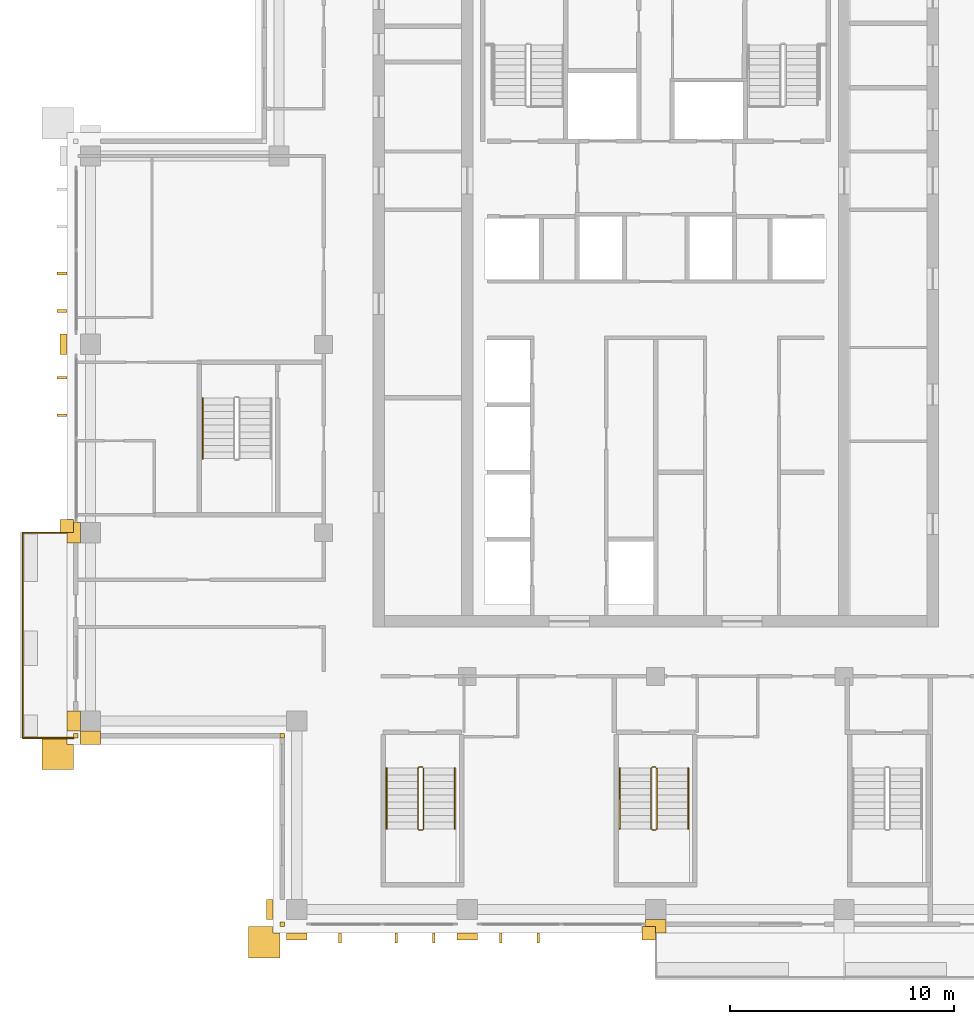
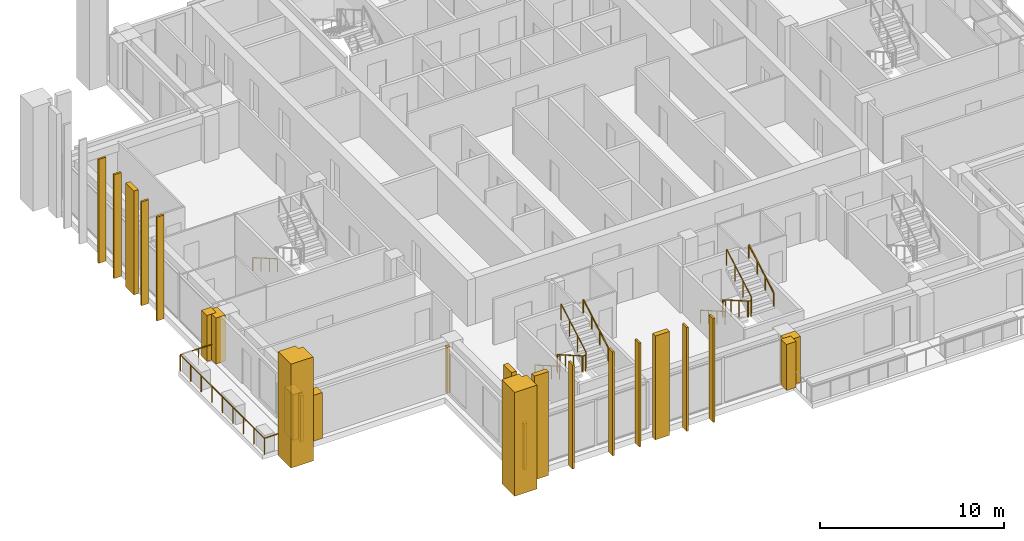
# One storey, part 15 of 18: 24 coverings, 8 railings.
"""IFC4 building model written with IfcOpenShell, lengths in metres."""

from ifc_helpers import new_model, si_unit, direction, frame, origin, origin_2d, place, context, subcontext, project, spatial, polyline, rectangle, outline, extrude, material, layer, layer_set, type_object, element, save


model = new_model("IFC4")

# Units and contexts
model_context = context("Model", 3, precision=1e-05, world=origin(), true_north=direction((0.0, 1.0)))
body_context = subcontext(model_context, "Body", "Model", "MODEL_VIEW")
ifc_project = project(units=[si_unit("LENGTHUNIT", "METRE"), si_unit("AREAUNIT", "SQUARE_METRE"), si_unit("VOLUMEUNIT", "CUBIC_METRE"), si_unit("PLANEANGLEUNIT", "RADIAN"), si_unit("MASSUNIT", "GRAM", prefix="KILO")], contexts=[model_context])

# Site, building, storey
site_placement = place(None, origin())
site = spatial("IfcSite", under=ifc_project, at=site_placement, CompositionType="ELEMENT")
building_placement = place(site_placement, origin())
building = spatial("IfcBuilding", under=site, at=building_placement, Name="Vermilion Ogive Tower", CompositionType="ELEMENT")
storey_placement = place(building_placement, frame((0.0, 0.0, 254.5)))
storey = spatial("IfcBuildingStorey", under=building, at=storey_placement, Name="L67", CompositionType="ELEMENT", Elevation=254.5)

# Railing
ifc_material_1 = material(Name="Stainless steel and glass", Category="steel")
railing_type_1 = type_object("IfcRailingType", Name="Balcony guard", PredefinedType="GUARDRAIL", material=ifc_material_1)
railing_1_placement = place(storey_placement, frame((-25.949951171875, -4.199951171875, -0.0400390625)))
element("IfcRailing", 1, at=railing_1_placement, inside=storey, type_object=railing_type_1, Name="Guard W03", PredefinedType="GUARDRAIL", context=body_context, shape_type="SweptSolid", body=[
    extrude(rectangle(XDim=0.048095703125, YDim=0.048095703125, at=origin_2d()), frame((0.0, 0.0, 1.076171875), z_axis=(-1.0, 0.0, 0.0), x_axis=(0.0, -1.0, 0.0)), (0.0, 0.0, 1.0), 2.270751953125),
    extrude(rectangle(XDim=0.048095703125, YDim=0.048095703125, at=origin_2d()), frame((-2.270751953125, 0.0, 1.076171875), z_axis=(0.0, -1.0, 0.0), x_axis=(1.0, 0.0, 0.0)), (0.0, 0.0, 1.0), 9.150146484375),
    extrude(rectangle(XDim=0.048095703125, YDim=0.048095703125, at=origin_2d()), frame((-2.270751953125, -9.150146484375, 1.076171875), z_axis=(1.0, 0.0, 0.0), x_axis=(0.0, 1.0, 0.0)), (0.0, 0.0, 1.0), 2.270751953125),
    extrude(rectangle(XDim=0.0419921875, YDim=0.0419921875, at=origin_2d()), origin(), (0.0, 0.0, 1.0), 1.052001953125),
    extrude(rectangle(XDim=0.0419921875, YDim=0.0419921875, at=origin_2d()), frame((-1.13525390625, 0.0, 0.0)), (0.0, 0.0, 1.0), 1.052001953125),
    extrude(rectangle(XDim=0.0419921875, YDim=0.0419921875, at=origin_2d()), frame((-2.270751953125, 0.0, 0.0)), (0.0, 0.0, 1.0), 1.052001953125),
    extrude(rectangle(XDim=0.0419921875, YDim=0.0419921875, at=origin_2d()), frame((-2.270751953125, -1.143798828125, 0.0)), (0.0, 0.0, 1.0), 1.052001953125),
    extrude(rectangle(XDim=0.0419921875, YDim=0.0419921875, at=origin_2d()), frame((-2.270751953125, -2.28759765625, 0.0)), (0.0, 0.0, 1.0), 1.052001953125),
    extrude(rectangle(XDim=0.0419921875, YDim=0.0419921875, at=origin_2d()), frame((-2.270751953125, -3.431396484375, 0.0)), (0.0, 0.0, 1.0), 1.052001953125),
    extrude(rectangle(XDim=0.0419921875, YDim=0.0419921875, at=origin_2d()), frame((-2.270751953125, -4.5751953125, 0.0)), (0.0, 0.0, 1.0), 1.052001953125),
    extrude(rectangle(XDim=0.0419921875, YDim=0.0419921875, at=origin_2d()), frame((-2.270751953125, -5.71875, 0.0)), (0.0, 0.0, 1.0), 1.052001953125),
    extrude(rectangle(XDim=0.0419921875, YDim=0.0419921875, at=origin_2d()), frame((-2.270751953125, -6.862548828125, 0.0)), (0.0, 0.0, 1.0), 1.052001953125),
    extrude(rectangle(XDim=0.0419921875, YDim=0.0419921875, at=origin_2d()), frame((-2.270751953125, -8.00634765625, 0.0)), (0.0, 0.0, 1.0), 1.052001953125),
    extrude(rectangle(XDim=0.0419921875, YDim=0.0419921875, at=origin_2d()), frame((-2.270751953125, -9.150146484375, 0.0)), (0.0, 0.0, 1.0), 1.052001953125),
    extrude(rectangle(XDim=0.0419921875, YDim=0.0419921875, at=origin_2d()), frame((-1.13525390625, -9.150146484375, 0.0)), (0.0, 0.0, 1.0), 1.052001953125),
    extrude(rectangle(XDim=0.0419921875, YDim=0.0419921875, at=origin_2d()), frame((0.0, -9.150146484375, 0.0)), (0.0, 0.0, 1.0), 1.052001953125),
])

# Coverings
ifc_material_2 = material(Name="Glazed ceramic screen")
ifc_layer = layer(ifc_material_2, 0.14990234375)
ifc_layer_set = layer_set([ifc_layer], Name="Ceramic solar screen fin")
covering_type_1 = type_object("IfcCoveringType", Name="Ceramic solar screen fin", PredefinedType="CLADDING", material=ifc_layer_set)
covering_1_placement = place(storey_placement, frame((0.0, 0.0, -0.39990234375)))
element("IfcCovering", 2, at=covering_1_placement, inside=storey, type_object=covering_type_1, Name="Solar screen blade S961", PredefinedType="CLADDING", context=body_context, shape_type="SweptSolid", body=[
    extrude(outline(polyline([(-14.135009765625, -22.5), (-14.014892578125, -22.5), (-14.014892578125, -22.050048828125), (-14.135009765625, -22.050048828125), (-14.135009765625, -22.5)])), origin(), (0.0, 0.0, 1.0), 6.89990234375),
])
covering_2_placement = place(storey_placement, frame((0.0, 0.0, -0.39990234375)))
element("IfcCovering", 3, at=covering_2_placement, inside=storey, type_object=covering_type_1, Name="Solar screen blade S971", PredefinedType="CLADDING", context=body_context, shape_type="SweptSolid", body=[
    extrude(outline(polyline([(-11.62255859375, -22.5), (-11.50244140625, -22.5), (-11.50244140625, -22.050048828125), (-11.62255859375, -22.050048828125), (-11.62255859375, -22.5)])), origin(), (0.0, 0.0, 1.0), 6.89990234375),
])
covering_3_placement = place(storey_placement, frame((0.0, 0.0, -0.39990234375)))
element("IfcCovering", 4, at=covering_3_placement, inside=storey, type_object=covering_type_1, Name="Solar screen blade S972", PredefinedType="CLADDING", context=body_context, shape_type="SweptSolid", body=[
    extrude(outline(polyline([(-9.947509765625, -22.5), (-9.827392578125, -22.5), (-9.827392578125, -22.050048828125), (-9.947509765625, -22.050048828125), (-9.947509765625, -22.5)])), origin(), (0.0, 0.0, 1.0), 6.89990234375),
])
covering_4_placement = place(storey_placement, frame((0.0, 0.0, -0.39990234375)))
element("IfcCovering", 5, at=covering_4_placement, inside=storey, type_object=covering_type_1, Name="Solar screen blade S981", PredefinedType="CLADDING", context=body_context, shape_type="SweptSolid", body=[
    extrude(outline(polyline([(-6.972412109375, -22.5), (-6.8525390625, -22.5), (-6.8525390625, -22.050048828125), (-6.972412109375, -22.050048828125), (-6.972412109375, -22.5)])), origin(), (0.0, 0.0, 1.0), 6.89990234375),
])
covering_5_placement = place(storey_placement, frame((0.0, 0.0, -0.39990234375)))
element("IfcCovering", 6, at=covering_5_placement, inside=storey, type_object=covering_type_1, Name="Solar screen blade S982", PredefinedType="CLADDING", context=body_context, shape_type="SweptSolid", body=[
    extrude(outline(polyline([(-5.297607421875, -22.5), (-5.177490234375, -22.5), (-5.177490234375, -22.050048828125), (-5.297607421875, -22.050048828125), (-5.297607421875, -22.5)])), origin(), (0.0, 0.0, 1.0), 6.89990234375),
])
covering_6_placement = place(storey_placement, frame((0.0, 0.0, -0.39990234375)))
element("IfcCovering", 7, at=covering_6_placement, inside=storey, type_object=covering_type_1, Name="Solar screen blade W011", PredefinedType="CLADDING", context=body_context, shape_type="SweptSolid", body=[
    extrude(outline(polyline([(-26.699951171875, 7.422607421875), (-26.699951171875, 7.302490234375), (-26.25, 7.302490234375), (-26.25, 7.422607421875), (-26.699951171875, 7.422607421875)])), origin(), (0.0, 0.0, 1.0), 6.89990234375),
])
covering_7_placement = place(storey_placement, frame((0.0, 0.0, -0.39990234375)))
element("IfcCovering", 8, at=covering_7_placement, inside=storey, type_object=covering_type_1, Name="Solar screen blade W012", PredefinedType="CLADDING", context=body_context, shape_type="SweptSolid", body=[
    extrude(outline(polyline([(-26.699951171875, 5.74755859375), (-26.699951171875, 5.62744140625), (-26.25, 5.62744140625), (-26.25, 5.74755859375), (-26.699951171875, 5.74755859375)])), origin(), (0.0, 0.0, 1.0), 6.89990234375),
])
covering_8_placement = place(storey_placement, frame((0.0, 0.0, -0.39990234375)))
element("IfcCovering", 9, at=covering_8_placement, inside=storey, type_object=covering_type_1, Name="Solar screen blade W001", PredefinedType="CLADDING", context=body_context, shape_type="SweptSolid", body=[
    extrude(outline(polyline([(-26.699951171875, 2.7724609375), (-26.699951171875, 2.652587890625), (-26.25, 2.652587890625), (-26.25, 2.7724609375), (-26.699951171875, 2.7724609375)])), origin(), (0.0, 0.0, 1.0), 6.89990234375),
])
covering_9_placement = place(storey_placement, frame((0.0, 0.0, -0.39990234375)))
element("IfcCovering", 10, at=covering_9_placement, inside=storey, type_object=covering_type_1, Name="Solar screen blade W002", PredefinedType="CLADDING", context=body_context, shape_type="SweptSolid", body=[
    extrude(outline(polyline([(-26.699951171875, 1.097412109375), (-26.699951171875, 0.9775390625), (-26.25, 0.9775390625), (-26.25, 1.097412109375), (-26.699951171875, 1.097412109375)])), origin(), (0.0, 0.0, 1.0), 6.89990234375),
])

# Railings
ifc_material_3 = material(Name="Steel S355 painted", Category="steel")
railing_type_2 = type_object("IfcRailingType", Name="Stair guard 1100", PredefinedType="GUARDRAIL", material=ifc_material_3)
railing_2_placement = place(storey_placement, frame((-10.39990234375, -14.64990234375, 0.0)))
element("IfcRailing", 11, at=railing_2_placement, inside=storey, type_object=railing_type_2, Name="L67 ST3 stair guard 4", PredefinedType="GUARDRAIL", context=body_context, shape_type="SweptSolid", body=[
    extrude(rectangle(XDim=0.048095703125, YDim=0.048095703125, at=origin_2d()), frame((0.0, 0.0, 1.076171875), z_axis=(-1.0, 0.0, 0.0), x_axis=(0.0, -1.0, 0.0)), (0.0, 0.0, 1.0), 0.150146484375),
    extrude(rectangle(XDim=0.048095703125, YDim=0.048095703125, at=origin_2d()), frame((-0.150146484375, 0.0, 1.076171875), z_axis=(-0.268277960024, -0.268277960024, 0.925231793839), x_axis=(0.707106781187, -0.707106781187, 0.0)), (0.0, 0.0, 1.0), 0.1865234375),
    extrude(rectangle(XDim=0.048095703125, YDim=0.048095703125, at=origin_2d()), frame((-0.2001953125, -0.050048828125, 1.24853515625), z_axis=(0.0, -0.866903762492, 0.498475542607), x_axis=(1.0, 0.0, 0.0)), (0.0, 0.0, 1.0), 3.114501953125),
    extrude(rectangle(XDim=0.048095703125, YDim=0.048095703125, at=origin_2d()), frame((-0.2001953125, -2.75, 2.80126953125), z_axis=(0.707106781187, -0.707106781187, 0.0), x_axis=(0.707106781187, 0.707106781187, 0.0)), (0.0, 0.0, 1.0), 0.07080078125),
    extrude(rectangle(XDim=0.048095703125, YDim=0.048095703125, at=origin_2d()), frame((-0.150146484375, -2.800048828125, 2.80126953125), z_axis=(1.0, 0.0, 0.0), x_axis=(0.0, 1.0, 0.0)), (0.0, 0.0, 1.0), 0.150146484375),
    extrude(rectangle(XDim=0.048095703125, YDim=0.048095703125, at=origin_2d()), frame((0.0, -2.800048828125, 2.80126953125), z_axis=(0.267386790225, 0.268697509785, 0.925368009307), x_axis=(-0.708833529934, 0.705375805398, 0.0)), (0.0, 0.0, 1.0), 0.186279296875),
    extrude(rectangle(XDim=0.048095703125, YDim=0.048095703125, at=origin_2d()), frame((0.0498046875, -2.75, 2.9736328125), z_axis=(0.0, 0.866903762492, 0.498475542607), x_axis=(-1.0, 0.0, 0.0)), (0.0, 0.0, 1.0), 3.114501953125),
    extrude(rectangle(XDim=0.0419921875, YDim=0.0419921875, at=origin_2d()), origin(), (0.0, 0.0, 1.0), 1.052001953125),
    extrude(rectangle(XDim=0.0419921875, YDim=0.0419921875, at=origin_2d()), frame((-0.150146484375, 0.0, 0.0)), (0.0, 0.0, 1.0), 1.052001953125),
    extrude(rectangle(XDim=0.0419921875, YDim=0.0419921875, at=origin_2d()), frame((-0.2001953125, -0.050048828125, 0.172607421875)), (0.0, 0.0, 1.0), 1.052001953125),
    extrude(rectangle(XDim=0.0419921875, YDim=0.0419921875, at=origin_2d()), frame((-0.2001953125, -0.949951171875, 0.690185546875)), (0.0, 0.0, 1.0), 1.052001953125),
    extrude(rectangle(XDim=0.0419921875, YDim=0.0419921875, at=origin_2d()), frame((-0.2001953125, -1.85009765625, 1.20751953125)), (0.0, 0.0, 1.0), 1.052001953125),
    extrude(rectangle(XDim=0.0419921875, YDim=0.0419921875, at=origin_2d()), frame((-0.2001953125, -2.75, 1.72509765625)), (0.0, 0.0, 1.0), 1.052001953125),
    extrude(rectangle(XDim=0.0419921875, YDim=0.0419921875, at=origin_2d()), frame((-0.150146484375, -2.800048828125, 1.72509765625)), (0.0, 0.0, 1.0), 1.052001953125),
    extrude(rectangle(XDim=0.0419921875, YDim=0.0419921875, at=origin_2d()), frame((0.0, -2.800048828125, 1.72509765625)), (0.0, 0.0, 1.0), 1.052001953125),
    extrude(rectangle(XDim=0.0419921875, YDim=0.0419921875, at=origin_2d()), frame((0.0498046875, -2.75, 1.8974609375)), (0.0, 0.0, 1.0), 1.052001953125),
    extrude(rectangle(XDim=0.0419921875, YDim=0.0419921875, at=origin_2d()), frame((0.0498046875, -1.85009765625, 2.4150390625)), (0.0, 0.0, 1.0), 1.052001953125),
    extrude(rectangle(XDim=0.0419921875, YDim=0.0419921875, at=origin_2d()), frame((0.0498046875, -0.949951171875, 2.932373046875)), (0.0, 0.0, 1.0), 1.052001953125),
    extrude(rectangle(XDim=0.0419921875, YDim=0.0419921875, at=origin_2d()), frame((0.0498046875, -0.050048828125, 3.449951171875)), (0.0, 0.0, 1.0), 1.052001953125),
])
railing_3_placement = place(storey_placement, frame((0.0, -14.64990234375, 0.0)))
element("IfcRailing", 12, at=railing_3_placement, inside=storey, type_object=railing_type_2, Name="L67 ST4 stair guard 4", PredefinedType="GUARDRAIL", context=body_context, shape_type="SweptSolid", body=[
    extrude(rectangle(XDim=0.048095703125, YDim=0.048095703125, at=origin_2d()), frame((0.0, 0.0, 1.076171875), z_axis=(-1.0, 0.0, 0.0), x_axis=(0.0, -1.0, 0.0)), (0.0, 0.0, 1.0), 0.14990234375),
    extrude(rectangle(XDim=0.048095703125, YDim=0.048095703125, at=origin_2d()), frame((-0.14990234375, 0.0, 1.076171875), z_axis=(-0.268277960024, -0.268277960024, 0.925231793839), x_axis=(0.707106781187, -0.707106781187, 0.0)), (0.0, 0.0, 1.0), 0.1865234375),
    extrude(rectangle(XDim=0.048095703125, YDim=0.048095703125, at=origin_2d()), frame((-0.199951171875, -0.050048828125, 1.24853515625), z_axis=(0.0, -0.866903762492, 0.498475542607), x_axis=(1.0, 0.0, 0.0)), (0.0, 0.0, 1.0), 3.114501953125),
    extrude(rectangle(XDim=0.048095703125, YDim=0.048095703125, at=origin_2d()), frame((-0.199951171875, -2.75, 2.80126953125), z_axis=(0.707106781187, -0.707106781187, 0.0), x_axis=(0.707106781187, 0.707106781187, 0.0)), (0.0, 0.0, 1.0), 0.07080078125),
    extrude(rectangle(XDim=0.048095703125, YDim=0.048095703125, at=origin_2d()), frame((-0.14990234375, -2.800048828125, 2.80126953125), z_axis=(1.0, 0.0, 0.0), x_axis=(0.0, 1.0, 0.0)), (0.0, 0.0, 1.0), 0.14990234375),
    extrude(rectangle(XDim=0.048095703125, YDim=0.048095703125, at=origin_2d()), frame((0.0, -2.800048828125, 2.80126953125), z_axis=(0.268603158521, 0.268603158521, 0.925043072762), x_axis=(-0.707106781187, 0.707106781187, 0.0)), (0.0, 0.0, 1.0), 0.186279296875),
    extrude(rectangle(XDim=0.048095703125, YDim=0.048095703125, at=origin_2d()), frame((0.050048828125, -2.75, 2.9736328125), z_axis=(0.0, 0.866903762492, 0.498475542607), x_axis=(-1.0, 0.0, 0.0)), (0.0, 0.0, 1.0), 3.114501953125),
    extrude(rectangle(XDim=0.0419921875, YDim=0.0419921875, at=origin_2d()), origin(), (0.0, 0.0, 1.0), 1.052001953125),
    extrude(rectangle(XDim=0.0419921875, YDim=0.0419921875, at=origin_2d()), frame((-0.14990234375, 0.0, 0.0)), (0.0, 0.0, 1.0), 1.052001953125),
    extrude(rectangle(XDim=0.0419921875, YDim=0.0419921875, at=origin_2d()), frame((-0.199951171875, -0.050048828125, 0.172607421875)), (0.0, 0.0, 1.0), 1.052001953125),
    extrude(rectangle(XDim=0.0419921875, YDim=0.0419921875, at=origin_2d()), frame((-0.199951171875, -0.949951171875, 0.690185546875)), (0.0, 0.0, 1.0), 1.052001953125),
    extrude(rectangle(XDim=0.0419921875, YDim=0.0419921875, at=origin_2d()), frame((-0.199951171875, -1.85009765625, 1.20751953125)), (0.0, 0.0, 1.0), 1.052001953125),
    extrude(rectangle(XDim=0.0419921875, YDim=0.0419921875, at=origin_2d()), frame((-0.199951171875, -2.75, 1.72509765625)), (0.0, 0.0, 1.0), 1.052001953125),
    extrude(rectangle(XDim=0.0419921875, YDim=0.0419921875, at=origin_2d()), frame((-0.14990234375, -2.800048828125, 1.72509765625)), (0.0, 0.0, 1.0), 1.052001953125),
    extrude(rectangle(XDim=0.0419921875, YDim=0.0419921875, at=origin_2d()), frame((0.0, -2.800048828125, 1.72509765625)), (0.0, 0.0, 1.0), 1.052001953125),
    extrude(rectangle(XDim=0.0419921875, YDim=0.0419921875, at=origin_2d()), frame((0.050048828125, -2.75, 1.8974609375)), (0.0, 0.0, 1.0), 1.052001953125),
    extrude(rectangle(XDim=0.0419921875, YDim=0.0419921875, at=origin_2d()), frame((0.050048828125, -1.85009765625, 2.4150390625)), (0.0, 0.0, 1.0), 1.052001953125),
    extrude(rectangle(XDim=0.0419921875, YDim=0.0419921875, at=origin_2d()), frame((0.050048828125, -0.949951171875, 2.932373046875)), (0.0, 0.0, 1.0), 1.052001953125),
    extrude(rectangle(XDim=0.0419921875, YDim=0.0419921875, at=origin_2d()), frame((0.050048828125, -0.050048828125, 3.449951171875)), (0.0, 0.0, 1.0), 1.052001953125),
])
ifc_material_4 = material(Name="Stainless steel", Category="steel")
railing_type_3 = type_object("IfcRailingType", Name="Stair handrail 900", PredefinedType="HANDRAIL", material=ifc_material_4)
railing_4_placement = place(storey_placement, frame((-12.0, -14.699951171875, 0.172607421875)))
element("IfcRailing", 13, at=railing_4_placement, inside=storey, type_object=railing_type_3, Name="L67 ST3 stair handrail 1", PredefinedType="HANDRAIL", context=body_context, shape_type="SweptSolid", body=[
    extrude(rectangle(XDim=0.048095703125, YDim=0.048095703125, at=origin_2d()), frame((0.0, 0.0, 0.8759765625), z_axis=(0.0, -0.866903762492, 0.498475542607), x_axis=(1.0, 0.0, 0.0)), (0.0, 0.0, 1.0), 3.114501953125),
    extrude(rectangle(XDim=0.0419921875, YDim=0.0419921875, at=origin_2d()), origin(), (0.0, 0.0, 1.0), 0.851806640625),
    extrude(rectangle(XDim=0.0419921875, YDim=0.0419921875, at=origin_2d()), frame((0.0, -0.89990234375, 0.517578125)), (0.0, 0.0, 1.0), 0.851806640625),
    extrude(rectangle(XDim=0.0419921875, YDim=0.0419921875, at=origin_2d()), frame((0.0, -1.800048828125, 1.034912109375)), (0.0, 0.0, 1.0), 0.851806640625),
    extrude(rectangle(XDim=0.0419921875, YDim=0.0419921875, at=origin_2d()), frame((0.0, -2.699951171875, 1.552490234375)), (0.0, 0.0, 1.0), 0.851806640625),
])
railing_5_placement = place(storey_placement, frame((-8.949951171875, -17.39990234375, 1.8974609375)))
element("IfcRailing", 14, at=railing_5_placement, inside=storey, type_object=railing_type_3, Name="L67 ST3 stair handrail 2", PredefinedType="HANDRAIL", context=body_context, shape_type="SweptSolid", body=[
    extrude(rectangle(XDim=0.048095703125, YDim=0.048095703125, at=origin_2d()), frame((0.0, 0.0, 0.8759765625), z_axis=(0.0, 0.866903762492, 0.498475542607), x_axis=(-1.0, 0.0, 0.0)), (0.0, 0.0, 1.0), 3.114501953125),
    extrude(rectangle(XDim=0.0419921875, YDim=0.0419921875, at=origin_2d()), origin(), (0.0, 0.0, 1.0), 0.851806640625),
    extrude(rectangle(XDim=0.0419921875, YDim=0.0419921875, at=origin_2d()), frame((0.0, 0.89990234375, 0.517578125)), (0.0, 0.0, 1.0), 0.851806640625),
    extrude(rectangle(XDim=0.0419921875, YDim=0.0419921875, at=origin_2d()), frame((0.0, 1.800048828125, 1.034912109375)), (0.0, 0.0, 1.0), 0.851806640625),
    extrude(rectangle(XDim=0.0419921875, YDim=0.0419921875, at=origin_2d()), frame((0.0, 2.699951171875, 1.552490234375)), (0.0, 0.0, 1.0), 0.851806640625),
])
railing_6_placement = place(storey_placement, frame((-1.60009765625, -14.699951171875, 0.172607421875)))
element("IfcRailing", 15, at=railing_6_placement, inside=storey, type_object=railing_type_3, Name="L67 ST4 stair handrail 1", PredefinedType="HANDRAIL", context=body_context, shape_type="SweptSolid", body=[
    extrude(rectangle(XDim=0.048095703125, YDim=0.048095703125, at=origin_2d()), frame((0.0, 0.0, 0.8759765625), z_axis=(0.0, -0.866903762492, 0.498475542607), x_axis=(1.0, 0.0, 0.0)), (0.0, 0.0, 1.0), 3.114501953125),
    extrude(rectangle(XDim=0.0419921875, YDim=0.0419921875, at=origin_2d()), origin(), (0.0, 0.0, 1.0), 0.851806640625),
    extrude(rectangle(XDim=0.0419921875, YDim=0.0419921875, at=origin_2d()), frame((0.0, -0.89990234375, 0.517578125)), (0.0, 0.0, 1.0), 0.851806640625),
    extrude(rectangle(XDim=0.0419921875, YDim=0.0419921875, at=origin_2d()), frame((0.0, -1.800048828125, 1.034912109375)), (0.0, 0.0, 1.0), 0.851806640625),
    extrude(rectangle(XDim=0.0419921875, YDim=0.0419921875, at=origin_2d()), frame((0.0, -2.699951171875, 1.552490234375)), (0.0, 0.0, 1.0), 0.851806640625),
])
railing_7_placement = place(storey_placement, frame((1.449951171875, -17.39990234375, 1.8974609375)))
element("IfcRailing", 16, at=railing_7_placement, inside=storey, type_object=railing_type_3, Name="L67 ST4 stair handrail 2", PredefinedType="HANDRAIL", context=body_context, shape_type="SweptSolid", body=[
    extrude(rectangle(XDim=0.048095703125, YDim=0.048095703125, at=origin_2d()), frame((0.0, 0.0, 0.8759765625), z_axis=(0.0, 0.866903762492, 0.498475542607), x_axis=(-1.0, 0.0, 0.0)), (0.0, 0.0, 1.0), 3.114501953125),
    extrude(rectangle(XDim=0.0419921875, YDim=0.0419921875, at=origin_2d()), origin(), (0.0, 0.0, 1.0), 0.851806640625),
    extrude(rectangle(XDim=0.0419921875, YDim=0.0419921875, at=origin_2d()), frame((0.0, 0.89990234375, 0.517578125)), (0.0, 0.0, 1.0), 0.851806640625),
    extrude(rectangle(XDim=0.0419921875, YDim=0.0419921875, at=origin_2d()), frame((0.0, 1.800048828125, 1.034912109375)), (0.0, 0.0, 1.0), 0.851806640625),
    extrude(rectangle(XDim=0.0419921875, YDim=0.0419921875, at=origin_2d()), frame((0.0, 2.699951171875, 1.552490234375)), (0.0, 0.0, 1.0), 0.851806640625),
])
railing_8_placement = place(storey_placement, frame((-20.199951171875, 1.800048828125, 0.172607421875)))
element("IfcRailing", 17, at=railing_8_placement, inside=storey, type_object=railing_type_3, Name="L67 ST9 stair handrail 1", PredefinedType="HANDRAIL", context=body_context, shape_type="SweptSolid", body=[
    extrude(rectangle(XDim=0.048095703125, YDim=0.048095703125, at=origin_2d()), frame((0.0, 0.0, 0.8759765625), z_axis=(0.0, -0.866903762492, 0.498475542607), x_axis=(1.0, 0.0, 0.0)), (0.0, 0.0, 1.0), 3.114501953125),
    extrude(rectangle(XDim=0.0419921875, YDim=0.0419921875, at=origin_2d()), origin(), (0.0, 0.0, 1.0), 0.851806640625),
    extrude(rectangle(XDim=0.0419921875, YDim=0.0419921875, at=origin_2d()), frame((0.0, -0.89990234375, 0.517578125)), (0.0, 0.0, 1.0), 0.851806640625),
    extrude(rectangle(XDim=0.0419921875, YDim=0.0419921875, at=origin_2d()), frame((0.0, -1.800048828125, 1.034912109375)), (0.0, 0.0, 1.0), 0.851806640625),
    extrude(rectangle(XDim=0.0419921875, YDim=0.0419921875, at=origin_2d()), frame((0.0, -2.699951171875, 1.552490234375)), (0.0, 0.0, 1.0), 0.851806640625),
])

# Coverings
ifc_material_5 = material(Name="Stone cladding", Category="masonry")
covering_type_2 = type_object("IfcCoveringType", Name="Stone corner buttress", PredefinedType="CLADDING", material=ifc_material_5)
covering_10_placement = place(storey_placement, origin())
element("IfcCovering", 18, at=covering_10_placement, inside=storey, type_object=covering_type_2, Name="Stone crease pier SK", PredefinedType="CLADDING", context=body_context, shape_type="SweptSolid", body=[
    extrude(outline(polyline([(-0.60009765625, -22.35009765625), (0.0, -22.35009765625), (0.0, -21.75), (-0.60009765625, -21.75), (-0.60009765625, -22.35009765625)])), origin(), (0.0, 0.0, 1.0), 3.050048828125),
])
covering_11_placement = place(storey_placement, origin())
element("IfcCovering", 19, at=covering_11_placement, inside=storey, type_object=covering_type_2, Name="Stone crease pier WK", PredefinedType="CLADDING", context=body_context, shape_type="SweptSolid", body=[
    extrude(outline(polyline([(-26.550048828125, -3.60009765625), (-26.550048828125, -4.199951171875), (-25.949951171875, -4.199951171875), (-25.949951171875, -3.60009765625), (-26.550048828125, -3.60009765625)])), origin(), (0.0, 0.0, 1.0), 3.050048828125),
])
covering_12_placement = place(storey_placement, frame((0.0, 0.0, -0.39990234375)))
element("IfcCovering", 20, at=covering_12_placement, inside=storey, type_object=covering_type_2, Name="Stone corner buttress S1", PredefinedType="CLADDING", context=body_context, shape_type="SweptSolid", body=[
    extrude(outline(polyline([(-17.050048828125, -21.75), (-17.050048828125, -22.050048828125), (-16.75, -22.050048828125), (-16.75, -23.14990234375), (-18.14990234375, -23.14990234375), (-18.14990234375, -21.75), (-17.050048828125, -21.75)])), origin(), (0.0, 0.0, 1.0), 6.89990234375),
])
covering_13_placement = place(storey_placement, frame((0.0, 0.0, -0.39990234375)))
element("IfcCovering", 21, at=covering_13_placement, inside=storey, type_object=covering_type_2, Name="Stone corner buttress X71", PredefinedType="CLADDING", context=body_context, shape_type="SweptSolid", body=[
    extrude(outline(polyline([(-27.35009765625, -13.35009765625), (-26.25, -13.35009765625), (-26.25, -13.64990234375), (-25.949951171875, -13.64990234375), (-25.949951171875, -14.75), (-27.35009765625, -14.75), (-27.35009765625, -13.35009765625)])), origin(), (0.0, 0.0, 1.0), 6.89990234375),
])
ifc_material_6 = material(Name="Stone cladding", Category="masonry")
covering_type_3 = type_object("IfcCoveringType", Name="Stone pier", PredefinedType="CLADDING", material=ifc_material_6)
covering_14_placement = place(storey_placement, origin())
element("IfcCovering", 22, at=covering_14_placement, inside=storey, type_object=covering_type_3, Name="Stone corner pier WE1", PredefinedType="CLADDING", context=body_context, shape_type="SweptSolid", body=[
    extrude(outline(polyline([(-25.75, -13.14990234375), (-25.75, -13.35009765625), (-25.949951171875, -13.35009765625), (-25.949951171875, -13.14990234375), (-25.75, -13.14990234375)])), origin(), (0.0, 0.0, 1.0), 3.050048828125),
])
covering_15_placement = place(storey_placement, origin())
element("IfcCovering", 23, at=covering_15_placement, inside=storey, type_object=covering_type_3, Name="Stone corner pier X7E1", PredefinedType="CLADDING", context=body_context, shape_type="SweptSolid", body=[
    extrude(outline(polyline([(-16.550048828125, -13.14990234375), (-16.550048828125, -13.35009765625), (-16.75, -13.35009765625), (-16.75, -13.14990234375), (-16.550048828125, -13.14990234375)])), origin(), (0.0, 0.0, 1.0), 3.050048828125),
])
covering_16_placement = place(storey_placement, origin())
element("IfcCovering", 24, at=covering_16_placement, inside=storey, type_object=covering_type_3, Name="Stone corner pier X8E1", PredefinedType="CLADDING", context=body_context, shape_type="SweptSolid", body=[
    extrude(outline(polyline([(-16.550048828125, -21.550048828125), (-16.550048828125, -21.75), (-16.75, -21.75), (-16.75, -21.550048828125), (-16.550048828125, -21.550048828125)])), origin(), (0.0, 0.0, 1.0), 3.050048828125),
])
covering_17_placement = place(storey_placement, frame((0.0, 0.0, -0.39990234375)))
element("IfcCovering", 25, at=covering_17_placement, inside=storey, type_object=covering_type_3, Name="Stone pier P-0084-210", PredefinedType="CLADDING", context=body_context, shape_type="SweptSolid", body=[
    extrude(outline(polyline([(-7.949951171875, -22.35009765625), (-8.85009765625, -22.35009765625), (-8.85009765625, -22.050048828125), (-7.949951171875, -22.050048828125), (-7.949951171875, -22.35009765625)])), origin(), (0.0, 0.0, 1.0), 6.89990234375),
])
covering_18_placement = place(storey_placement, frame((0.0, 0.0, -0.39990234375)))
element("IfcCovering", 26, at=covering_18_placement, inside=storey, type_object=covering_type_3, Name="Stone pier P-0160-210S", PredefinedType="CLADDING", context=body_context, shape_type="SweptSolid", body=[
    extrude(outline(polyline([(-15.550048828125, -22.35009765625), (-16.449951171875, -22.35009765625), (-16.449951171875, -22.050048828125), (-15.550048828125, -22.050048828125), (-15.550048828125, -22.35009765625)])), origin(), (0.0, 0.0, 1.0), 6.89990234375),
])
covering_19_placement = place(storey_placement, frame((0.0, 0.0, -0.39990234375)))
element("IfcCovering", 27, at=covering_19_placement, inside=storey, type_object=covering_type_3, Name="Stone pier P-0160-210X8", PredefinedType="CLADDING", context=body_context, shape_type="SweptSolid", body=[
    extrude(outline(polyline([(-17.35009765625, -20.550048828125), (-17.050048828125, -20.550048828125), (-17.050048828125, -21.449951171875), (-17.35009765625, -21.449951171875), (-17.35009765625, -20.550048828125)])), origin(), (0.0, 0.0, 1.0), 6.89990234375),
])
covering_20_placement = place(storey_placement, frame((0.0, 0.0, -0.39990234375)))
element("IfcCovering", 28, at=covering_20_placement, inside=storey, type_object=covering_type_3, Name="Stone pier P-0252+042", PredefinedType="CLADDING", context=body_context, shape_type="SweptSolid", body=[
    extrude(outline(polyline([(-26.550048828125, 3.75), (-26.550048828125, 4.64990234375), (-26.25, 4.64990234375), (-26.25, 3.75), (-26.550048828125, 3.75)])), origin(), (0.0, 0.0, 1.0), 6.89990234375),
])
covering_21_placement = place(storey_placement, origin())
element("IfcCovering", 29, at=covering_21_placement, inside=storey, type_object=covering_type_3, Name="Stone pier P+0000-210", PredefinedType="CLADDING", context=body_context, shape_type="SweptSolid", body=[
    extrude(outline(polyline([(0.449951171875, -22.050048828125), (0.0, -22.050048828125), (0.0, -21.75), (-0.449951171875, -21.75), (-0.449951171875, -21.449951171875), (0.449951171875, -21.449951171875), (0.449951171875, -22.050048828125)])), origin(), (0.0, 0.0, 1.0), 3.050048828125),
])
covering_22_placement = place(storey_placement, origin())
element("IfcCovering", 30, at=covering_22_placement, inside=storey, type_object=covering_type_3, Name="Stone pier P-0252-042", PredefinedType="CLADDING", context=body_context, shape_type="SweptSolid", body=[
    extrude(outline(polyline([(-26.25, -4.64990234375), (-26.25, -4.199951171875), (-25.949951171875, -4.199951171875), (-25.949951171875, -3.75), (-25.64990234375, -3.75), (-25.64990234375, -4.64990234375), (-26.25, -4.64990234375)])), origin(), (0.0, 0.0, 1.0), 3.050048828125),
])
covering_23_placement = place(storey_placement, origin())
element("IfcCovering", 31, at=covering_23_placement, inside=storey, type_object=covering_type_3, Name="Stone pier P-0252-126W", PredefinedType="CLADDING", context=body_context, shape_type="SweptSolid", body=[
    extrude(outline(polyline([(-26.25, -13.050048828125), (-26.25, -12.14990234375), (-25.64990234375, -12.14990234375), (-25.64990234375, -13.050048828125), (-26.25, -13.050048828125)])), origin(), (0.0, 0.0, 1.0), 3.050048828125),
])
covering_24_placement = place(storey_placement, origin())
element("IfcCovering", 32, at=covering_24_placement, inside=storey, type_object=covering_type_3, Name="Stone pier P-0252-126X7", PredefinedType="CLADDING", context=body_context, shape_type="SweptSolid", body=[
    extrude(outline(polyline([(-25.64990234375, -13.64990234375), (-25.64990234375, -13.050048828125), (-24.75, -13.050048828125), (-24.75, -13.64990234375), (-25.64990234375, -13.64990234375)])), origin(), (0.0, 0.0, 1.0), 3.050048828125),
])

save(model, "model.ifc")
